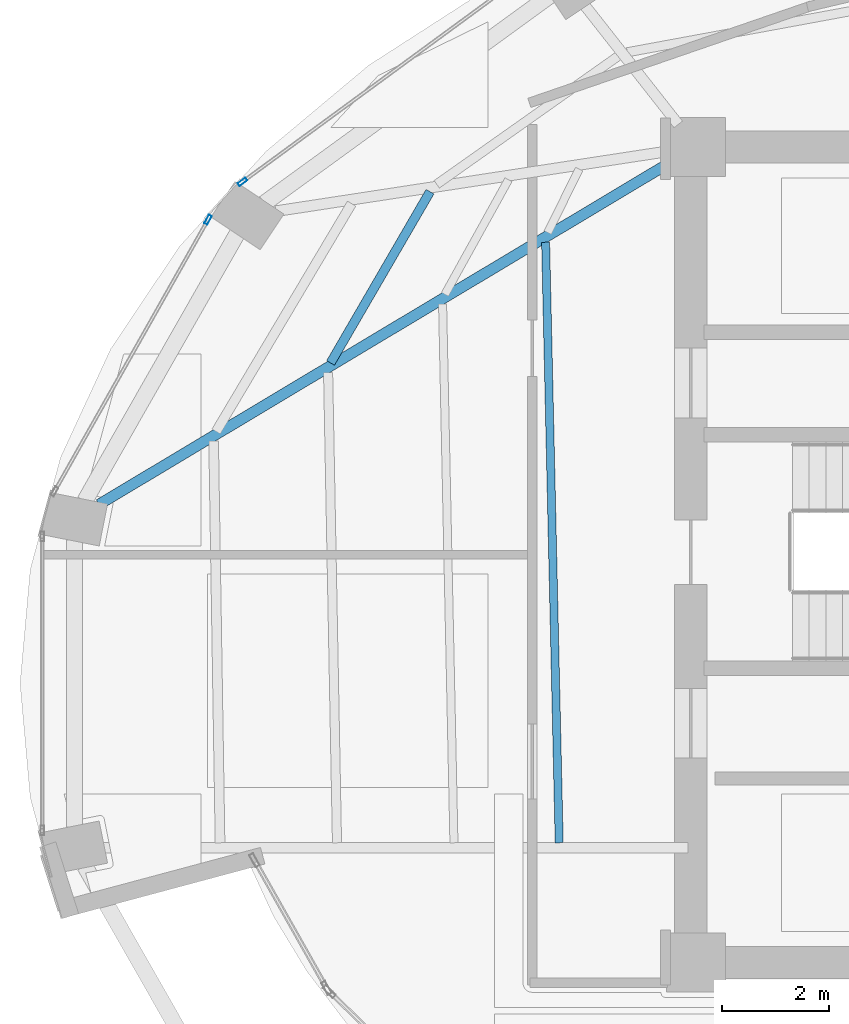
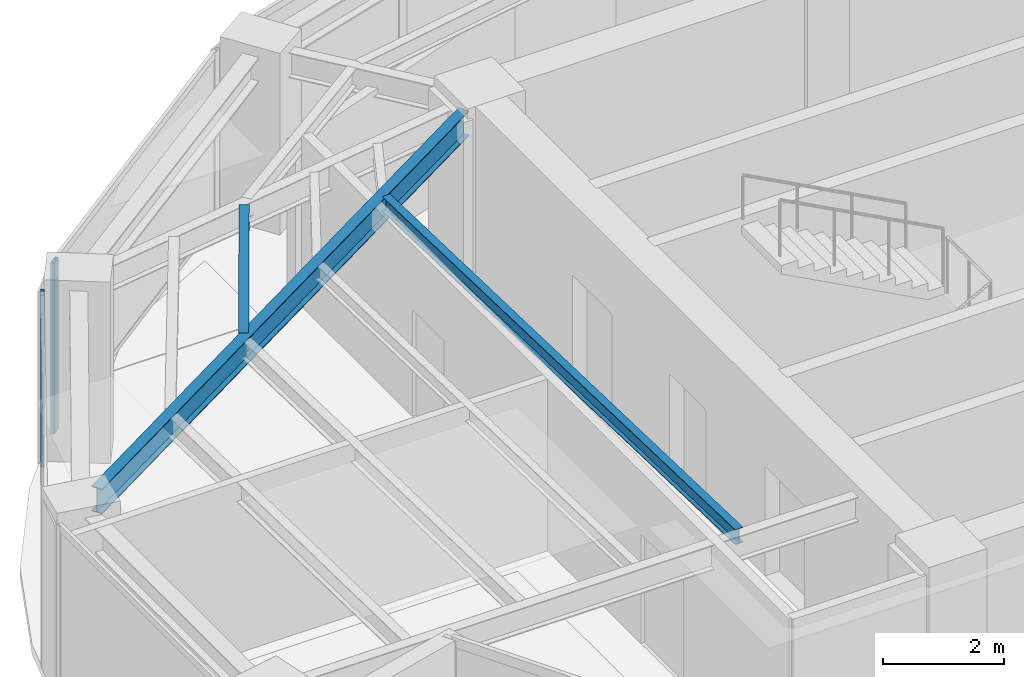
# One storey, part 7 of 21: 3 beams, 2 members, 2 elements without a shape of their own.
"""IFC4 building model written with IfcOpenShell, lengths in metres."""

import ifcopenshell
import ifcopenshell.guid

model = None  # the IFC model being written
_history = None  # IfcOwnerHistory: only IFC2X3 demands one
_inside = {}  # id of a spatial element -> (the spatial element, [elements in it])
_under = {}  # id of a project, library or spatial element -> (it, [spatial elements below it])
_declared = {}  # id of a project -> (the project, [libraries it declares])
_typed = {}  # id of a type object -> (the type object, [elements of that type])
_made_of = {}  # id of a material, layer set ... -> (it, [elements and type objects made of it])


def new_model(schema):
    """Start an empty IFC model of exactly this schema.

    Asked for "IFC4X3", IfcOpenShell would pick the latest addendum, in which some entities
    have other attributes; the version numbers below select the first issue.
    IFC2X3 requires an IfcOwnerHistory on every rooted entity: one is made here for all.
    """
    global model, _history
    if schema == "IFC4X3":
        model = ifcopenshell.file(schema_version=(4, 3, 0, 0))
    else:
        model = ifcopenshell.file(schema=schema)
    _inside.clear()
    _under.clear()
    _declared.clear()
    _typed.clear()
    _made_of.clear()
    _history = None
    if model.schema == "IFC2X3":
        org = make("IfcOrganization", Name="unknown")
        user = make(
            "IfcPersonAndOrganization",
            ThePerson=make("IfcPerson", FamilyName="unknown"),
            TheOrganization=org,
        )
        app = make(
            "IfcApplication",
            ApplicationDeveloper=org,
            Version="unknown",
            ApplicationFullName="unknown",
            ApplicationIdentifier="unknown",
        )
        _history = make(
            "IfcOwnerHistory",
            OwningUser=user,
            OwningApplication=app,
            ChangeAction="ADDED",
            CreationDate=0,
        )
    return model


def make(cls, **values):
    """One entity of the class cls with the attributes given. An attribute that is None is left unset."""
    return model.create_entity(
        cls, **{name: value for name, value in values.items() if value is not None}
    )


def rooted(cls, **values):
    """An entity with a GlobalId (a new one), such as an element, a storey or a relation."""
    return make(cls, GlobalId=ifcopenshell.guid.new(), OwnerHistory=_history, **values)


def si_unit(unit_type, name, prefix=None):
    """IfcSIUnit, for example si_unit("LENGTHUNIT", "METRE", prefix="MILLI")."""
    return make("IfcSIUnit", UnitType=unit_type, Prefix=prefix, Name=name)


def assignment(units):
    """IfcUnitAssignment: the units of a project."""
    return None if units is None else make("IfcUnitAssignment", Units=units)


def point(xyz):
    """IfcCartesianPoint."""
    return None if xyz is None else make("IfcCartesianPoint", Coordinates=xyz)


def direction(xyz):
    """IfcDirection."""
    return None if xyz is None else make("IfcDirection", DirectionRatios=xyz)


def frame(location, z_axis=None, x_axis=None):
    """IfcAxis2Placement3D, a coordinate frame: its origin and axes. An axis left out is left unset."""
    return make(
        "IfcAxis2Placement3D",
        Location=point(location),
        Axis=direction(z_axis),
        RefDirection=direction(x_axis),
    )


def frame_2d(location, x_axis=None):
    """IfcAxis2Placement2D, a coordinate frame in the plane: its origin and x axis."""
    return make(
        "IfcAxis2Placement2D", Location=point(location), RefDirection=direction(x_axis)
    )


def origin():
    """The frame at (0, 0, 0) with its axes left unset."""
    return frame((0.0, 0.0, 0.0))


def origin_2d():
    """The frame at (0, 0) in the plane with its x axis left unset."""
    return frame_2d((0.0, 0.0))


def place(relative_to, where):
    """IfcLocalPlacement: puts the frame where relative to a parent placement (None: the world)."""
    return make(
        "IfcLocalPlacement", PlacementRelTo=relative_to, RelativePlacement=where
    )


def context(
    kind, dimensions, precision=None, world=None, true_north=None, identifier=None
):
    """IfcGeometricRepresentationContext, for example the 3D "Model" context."""
    return make(
        "IfcGeometricRepresentationContext",
        ContextIdentifier=identifier,
        ContextType=kind,
        CoordinateSpaceDimension=dimensions,
        Precision=precision,
        WorldCoordinateSystem=world,
        TrueNorth=true_north,
    )


def subcontext(parent, identifier, kind, view, scale=None):
    """IfcGeometricRepresentationSubContext, for example "Body" below "Model"."""
    return make(
        "IfcGeometricRepresentationSubContext",
        ContextIdentifier=identifier,
        ContextType=kind,
        ParentContext=parent,
        TargetScale=scale,
        TargetView=view,
    )


def project(units=None, contexts=None):
    """IfcProject with its units and contexts."""
    return rooted(
        "IfcProject",
        Name="project",
        RepresentationContexts=contexts,
        UnitsInContext=assignment(units),
    )


def spatial(cls, under=None, at=None, **own):
    """A site, building, storey or space (cls), placed at a placement, below another one or the project."""
    s = rooted(cls, ObjectPlacement=at, **own)
    if under is not None:
        _under.setdefault(under.id(), (under, []))[1].append(s)
    return s


def profile(cls, at=None, kind="AREA", **sizes):
    """A parametric profile (cls). Its sizes go by their IFC names, for example OverallWidth=200.0."""
    return make(cls, ProfileType=kind, Position=at, **sizes)


def hollow_rectangle(**sizes):
    """IfcRectangleHollowProfileDef."""
    return profile("IfcRectangleHollowProfileDef", **sizes)


def i_section(**sizes):
    """IfcIShapeProfileDef."""
    return profile("IfcIShapeProfileDef", **sizes)


def extrude(swept, where, along, depth):
    """IfcExtrudedAreaSolid: the profile swept, set in the frame where, extruded along a direction by depth."""
    return make(
        "IfcExtrudedAreaSolid",
        SweptArea=swept,
        Position=where,
        ExtrudedDirection=direction(along),
        Depth=depth,
    )


def shape(context_of_items, identifier, shape_type, items):
    """IfcShapeRepresentation: the items that make up one representation, for example the "Body"."""
    return make(
        "IfcShapeRepresentation",
        ContextOfItems=context_of_items,
        RepresentationIdentifier=identifier,
        RepresentationType=shape_type,
        Items=items,
    )


def material(Name=None, Category=None):
    """IfcMaterial."""
    return make("IfcMaterial", Name=Name, Category=Category)


def layer(
    of_material, thickness, ventilated=None, Name=None, Category=None, Priority=None
):
    """IfcMaterialLayer: one layer of a wall or slab, of a material (None: an air gap)."""
    return make(
        "IfcMaterialLayer",
        Material=of_material,
        LayerThickness=thickness,
        IsVentilated=ventilated,
        Name=Name,
        Category=Category,
        Priority=Priority,
    )


def layer_set(layers, Name=None):
    """IfcMaterialLayerSet."""
    return make("IfcMaterialLayerSet", MaterialLayers=layers, LayerSetName=Name)


def material_profile(
    of_material, cross_section, Name=None, Category=None, Priority=None
):
    """IfcMaterialProfile: a cross section and its material."""
    return make(
        "IfcMaterialProfile",
        Name=Name,
        Material=of_material,
        Profile=cross_section,
        Priority=Priority,
        Category=Category,
    )


def profile_set(profiles, Name=None, composite=None):
    """IfcMaterialProfileSet."""
    return make(
        "IfcMaterialProfileSet",
        Name=Name,
        MaterialProfiles=profiles,
        CompositeProfile=composite,
    )


def made_of(thing, what):
    """Note that an element or type object is made of a material, layer set ...; save() writes the relation."""
    if what is not None:
        _made_of.setdefault(what.id(), (what, []))[1].append(thing)
    return thing


def type_object(cls, material=None, **own):
    """A type object (cls), such as IfcWallType, which elements share."""
    return made_of(rooted(cls, **own), material)


def element(
    cls,
    number,
    at=None,
    inside=None,
    cuts=None,
    type_object=None,
    material=None,
    context=None,
    identifier="Body",
    shape_type=None,
    held_by="IfcProductDefinitionShape",
    body=None,
    shapes=None,
    **own,
):
    """One element of the class cls, such as IfcWall. Its Tag is "e" and its number.

    at: its placement. inside: the storey or other place that contains it. cuts: it is an
    opening in that element (IfcRelVoidsElement). A single representation is given by context,
    identifier, shape_type and body (its items); several are given by shapes. held_by: the class
    of the entity that holds the representations. save() writes the other relations.
    """
    e = rooted(cls, Tag="e%d" % number, ObjectPlacement=at, **own)
    if body is not None:
        shapes = [shape(context, identifier, shape_type, body)]
    if shapes is not None:
        e.Representation = make(held_by, Representations=shapes)
    if inside is not None:
        _inside.setdefault(inside.id(), (inside, []))[1].append(e)
    if cuts is not None:
        rooted(
            "IfcRelVoidsElement", RelatingBuildingElement=cuts, RelatedOpeningElement=e
        )
    if type_object is not None:
        _typed.setdefault(type_object.id(), (type_object, []))[1].append(e)
    return made_of(e, material)


def aggregate(whole, parts):
    """IfcRelAggregates: a whole, such as a stair, and the parts it consists of."""
    return rooted("IfcRelAggregates", RelatingObject=whole, RelatedObjects=parts)


def save(model, path):
    """Write the relations noted so far, then the file.

    IfcRelAggregates (storeys below a building ...), IfcRelContainedInSpatialStructure (elements
    in a storey), IfcRelDefinesByType, IfcRelAssociatesMaterial and IfcRelDeclares: one each for
    every whole, place, type object, material and project.
    """
    for whole, parts in _under.values():
        aggregate(whole, parts)
    for where, things in _inside.values():
        rooted(
            "IfcRelContainedInSpatialStructure",
            RelatedElements=things,
            RelatingStructure=where,
        )
    for kind, things in _typed.values():
        rooted("IfcRelDefinesByType", RelatedObjects=things, RelatingType=kind)
    for what, things in _made_of.values():
        rooted("IfcRelAssociatesMaterial", RelatedObjects=things, RelatingMaterial=what)
    for by, libraries in _declared.values():
        rooted("IfcRelDeclares", RelatingContext=by, RelatedDefinitions=libraries)
    model.write(path)


model = new_model("IFC4")

# Units and contexts
model_context = context("Model", 3, precision=1e-05, world=origin(), true_north=direction((0.0, 1.0)))
body_context = subcontext(model_context, "Body", "Model", "MODEL_VIEW")
ifc_project = project(units=[si_unit("LENGTHUNIT", "METRE"), si_unit("AREAUNIT", "SQUARE_METRE"), si_unit("VOLUMEUNIT", "CUBIC_METRE"), si_unit("PLANEANGLEUNIT", "RADIAN"), si_unit("MASSUNIT", "GRAM", prefix="KILO")], contexts=[model_context])

# Site, building, storey
site_placement = place(None, origin())
site = spatial("IfcSite", under=ifc_project, at=site_placement, CompositionType="ELEMENT")
building_placement = place(site_placement, origin())
building = spatial("IfcBuilding", under=site, at=building_placement, Name="Lazwardi Medical Tower", CompositionType="ELEMENT")
storey_placement = place(building_placement, frame((0.0, 0.0, 220.367919921875)))
storey = spatial("IfcBuildingStorey", under=building, at=storey_placement, Name="L57", CompositionType="ELEMENT", Elevation=220.367919921875)

# Beams
ifc_material_1 = material(Name="Steel S355", Category="steel")
ifc_material_profile_1 = material_profile(ifc_material_1, i_section(OverallWidth=0.199951171875, OverallDepth=0.5, WebThickness=0.01025390625, FlangeThickness=0.01611328125, at=origin_2d()), Name="IPE 500")
ifc_profile_set_1 = profile_set([ifc_material_profile_1], Name="Steel S355")
beam_type_1 = type_object("IfcBeamType", Name="BM-RG-W3", PredefinedType="BEAM", material=ifc_profile_set_1)
beam_1_placement = place(storey_placement, frame((15.27392578125, 28.937744140625, 3.197998046875), z_axis=(0.857944804603, 0.513741873176, 0.0), x_axis=(-0.513741873176, 0.857944804603, 0.0)))
element("IfcBeam", 1, at=beam_1_placement, inside=storey, type_object=beam_type_1, Name="Radial girder RG-04 R12 L57", PredefinedType="BEAM", context=body_context, shape_type="SweptSolid", body=[
    extrude(i_section(OverallWidth=0.199951171875, OverallDepth=0.5, WebThickness=0.01025390625, FlangeThickness=0.01611328125, at=origin_2d()), origin(), (0.0, 0.0, 1.0), 12.43310546875),
])
ifc_material_profile_2 = material_profile(ifc_material_1, i_section(OverallWidth=0.169921875, OverallDepth=0.360107421875, WebThickness=0.008056640625, FlangeThickness=0.0126953125, at=origin_2d()), Name="IPE 360")
ifc_profile_set_2 = profile_set([ifc_material_profile_2], Name="Steel S355")
beam_type_2 = type_object("IfcBeamType", Name="BM-SJ-02", PredefinedType="JOIST", material=ifc_profile_set_2)
beam_2_placement = place(storey_placement, frame((21.4423828125, 34.767578125, 3.26806640625), z_axis=(-0.50218018565, -0.864763008657, 0.0), x_axis=(0.864763008657, -0.50218018565, 0.0)))
element("IfcBeam", 2, at=beam_2_placement, inside=storey, type_object=beam_type_2, Name="Secondary joist SJ-02 R2 B11 L57", PredefinedType="JOIST", context=body_context, shape_type="SweptSolid", body=[
    extrude(i_section(OverallWidth=0.169921875, OverallDepth=0.360107421875, WebThickness=0.008056640625, FlangeThickness=0.0126953125, at=origin_2d()), origin(), (0.0, 0.0, 1.0), 3.69189453125),
])
ifc_material_profile_3 = material_profile(ifc_material_1, i_section(OverallWidth=0.14990234375, OverallDepth=0.300048828125, WebThickness=0.007080078125, FlangeThickness=0.0107421875, at=origin_2d()), Name="IPE 300")
ifc_profile_set_3 = profile_set([ifc_material_profile_3], Name="Steel S355")
beam_type_3 = type_object("IfcBeamType", Name="BM-SJ-03", PredefinedType="JOIST", material=ifc_profile_set_3)
beam_3_placement = place(storey_placement, frame((23.596435546875, 33.824951171875, 3.298095703125), z_axis=(0.022635214735, -0.999743790705, 0.0), x_axis=(0.999743790705, 0.022635214735, 0.0)))
element("IfcBeam", 3, at=beam_3_placement, inside=storey, type_object=beam_type_3, Name="Secondary joist SJ-03 R4 B12 L57", PredefinedType="JOIST", context=body_context, shape_type="SweptSolid", body=[
    extrude(i_section(OverallWidth=0.14990234375, OverallDepth=0.300048828125, WebThickness=0.007080078125, FlangeThickness=0.0107421875, at=origin_2d()), origin(), (0.0, 0.0, 1.0), 11.19580078125),
])

# Curtain wall, member
ifc_material_2 = material(Name="Anodised bronze aluminium and solar control glazing", Category="aluminium")
ifc_layer = layer(ifc_material_2, 0.18994140625)
ifc_layer_set = layer_set([ifc_layer], Name="Anodised bronze aluminium and solar control glazing")
curtain_wall_type = type_object("IfcCurtainWallType", Name="CW-SYS-04", PredefinedType="NOTDEFINED", material=ifc_layer_set)
curtain_wall_1_placement = place(storey_placement, origin())
curtain_wall_1 = element("IfcCurtainWall", 4, at=curtain_wall_1_placement, inside=storey, type_object=curtain_wall_type, Name="L57 Unitised bronze curtain wall CW-04", PredefinedType="NOTDEFINED")
ifc_material_3 = material(Name="Anodised bronze aluminium", Category="aluminium")
ifc_material_profile_4 = material_profile(ifc_material_3, hollow_rectangle(XDim=0.06494140625, YDim=0.179931640625, WallThickness=0.00390625, at=origin_2d()), Name="ALU-MULLION 180x65x4")
ifc_profile_set_4 = profile_set([ifc_material_profile_4], Name="Anodised bronze aluminium")
member_type = type_object("IfcMemberType", Name="CW-MUL-03", PredefinedType="MULLION", material=ifc_profile_set_4)
member_1_placement = place(storey_placement, frame((17.947998046875, 34.95166015625, 0.0), z_axis=(0.0, 0.0, 1.0), x_axis=(0.591268230971, -0.806474971121, 0.0)))
member_1 = element("IfcMember", 5, at=member_1_placement, type_object=member_type, Name="CW-04 mullion 2", PredefinedType="MULLION", context=body_context, shape_type="SweptSolid", body=[
    extrude(hollow_rectangle(XDim=0.06494140625, YDim=0.179931640625, WallThickness=0.00390625, at=origin_2d()), origin(), (0.0, 0.0, 1.0), 3.447998046875),
])
aggregate(curtain_wall_1, [member_1])

curtain_wall_2_placement = place(storey_placement, origin())
curtain_wall_2 = element("IfcCurtainWall", 6, at=curtain_wall_2_placement, inside=storey, type_object=curtain_wall_type, Name="L57 Unitised bronze curtain wall CW-04", PredefinedType="NOTDEFINED")
member_2_placement = place(storey_placement, frame((17.3056640625, 34.24560546875, 0.0), z_axis=(0.0, 0.0, 1.0), x_axis=(0.870651436011, -0.491900474661, 0.0)))
member_2 = element("IfcMember", 7, at=member_2_placement, type_object=member_type, Name="CW-04 mullion 1", PredefinedType="MULLION", context=body_context, shape_type="SweptSolid", body=[
    extrude(hollow_rectangle(XDim=0.06494140625, YDim=0.179931640625, WallThickness=0.00390625, at=origin_2d()), origin(), (0.0, 0.0, 1.0), 3.447998046875),
])
aggregate(curtain_wall_2, [member_2])

save(model, "model.ifc")
